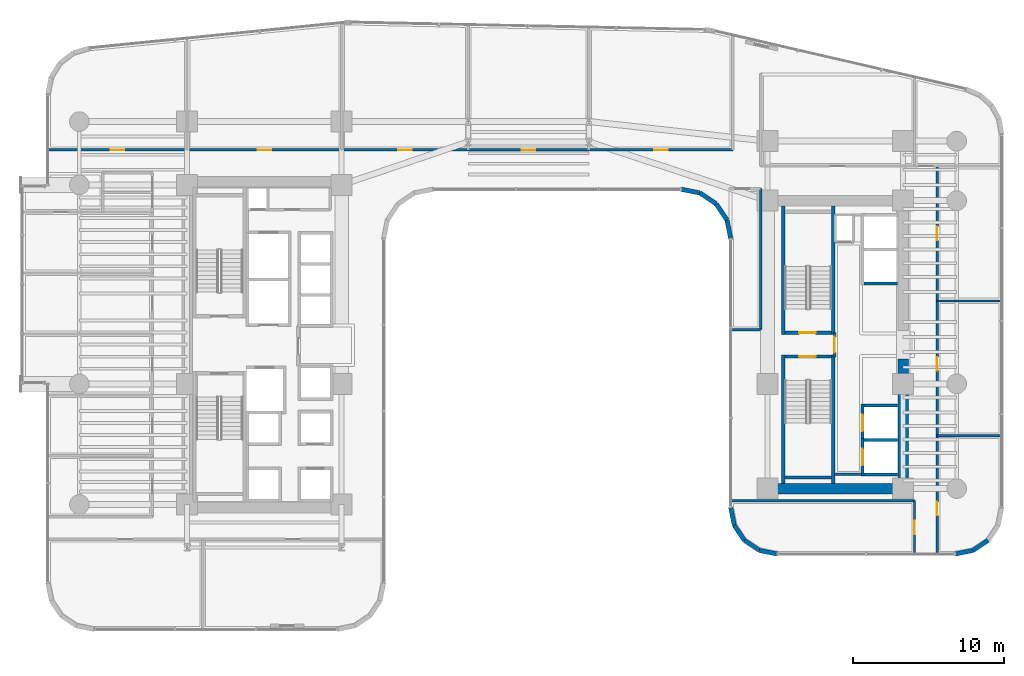
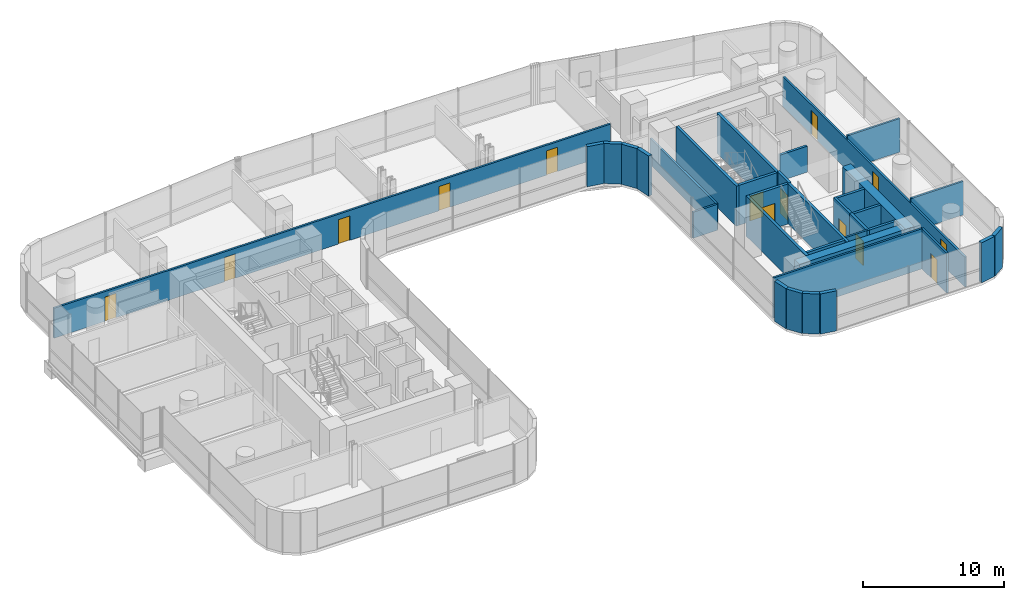
# One storey, part 31 of 38: 35 walls, 14 doors, 14 openings.
"""IFC4 building model written with IfcOpenShell, lengths in metres."""

from ifc_helpers import new_model, si_unit, direction, frame, frame_2d, origin, place, context, subcontext, project, spatial, rectangle, extrude, material, layer, layer_set, type_object, element, fill, save


model = new_model("IFC4")

# Units and contexts
model_context = context("Model", 3, precision=1e-05, world=origin(), true_north=direction((0.0, 1.0)))
body_context = subcontext(model_context, "Body", "Model", "MODEL_VIEW")
ifc_project = project(units=[si_unit("LENGTHUNIT", "METRE"), si_unit("AREAUNIT", "SQUARE_METRE"), si_unit("VOLUMEUNIT", "CUBIC_METRE"), si_unit("PLANEANGLEUNIT", "RADIAN"), si_unit("MASSUNIT", "GRAM", prefix="KILO")], contexts=[model_context])

# Site, building, storey
site_placement = place(None, origin())
site = spatial("IfcSite", under=ifc_project, at=site_placement, CompositionType="ELEMENT")
building_placement = place(site_placement, origin())
building = spatial("IfcBuilding", under=site, at=building_placement, Name="Valdorenza Pilgrim Sanctuary Tower", CompositionType="ELEMENT")
storey_placement = place(building_placement, frame((0.0, 0.0, 37.10009765625)))
storey = spatial("IfcBuildingStorey", under=building, at=storey_placement, Name="L08", CompositionType="ELEMENT", Elevation=37.10009765625)

# Wall
ifc_material_1 = material(Name="Acoustic twin-stud gypsum partition", Category="gypsum")
ifc_layer_1 = layer(ifc_material_1, 0.159912109375, Name="Acoustic twin-stud gypsum partition")
ifc_layer_set_1 = layer_set([ifc_layer_1], Name="Acoustic twin-stud gypsum partition")
wall_type_1 = type_object("IfcWallType", Name="WAL-COR-160", PredefinedType="PARTITIONING", material=ifc_layer_set_1)
wall_1_placement = place(storey_placement, frame((20.300048828125, -8.60009765625, 0.0), z_axis=(0.0, 0.0, 1.0), x_axis=(1.0, 0.0, 0.0)))
element("IfcWall", 1, at=wall_1_placement, inside=storey, type_object=wall_type_1, Name="L08 Core B Lift Hall South End Wall", PredefinedType="PARTITIONING", context=body_context, shape_type="SweptSolid", body=[
    extrude(rectangle(XDim=1.820068359375, YDim=0.159912109375, at=frame_2d((0.91015625, 0.0))), origin(), (0.0, 0.0, 1.0), 3.4599609375),
])

# Wall, openings, doors
wall_2_placement = place(storey_placement, frame((-31.889892578125, 12.919921875, 0.0), z_axis=(0.0, 0.0, 1.0), x_axis=(1.0, 0.0, 0.0)))
wall_2 = element("IfcWall", 2, at=wall_2_placement, inside=storey, type_object=wall_type_1, Name="L08 North Corridor Wall", PredefinedType="PARTITIONING", context=body_context, shape_type="SweptSolid", body=[
    extrude(rectangle(XDim=45.43994140625, YDim=0.159912109375, at=frame_2d((22.719970703125, 0.0))), origin(), (0.0, 0.0, 1.0), 2.5830078125),
])
opening_1_placement = place(wall_2_placement, frame((4.169921875, 0.0, 0.0)))
opening_1 = element("IfcOpeningElement", 3, at=opening_1_placement, cuts=wall_2, Name="Opening DR-RM1", PredefinedType="OPENING", context=body_context, shape_type="SweptSolid", body=[
    extrude(rectangle(XDim=0.89990234375, YDim=2.10009765625, at=frame_2d((0.449951171875, 1.050048828125))), frame((0.0, 0.0947265625, 0.0), z_axis=(0.0, -1.0, 0.0), x_axis=(1.0, 0.0, 0.0)), (0.0, 0.0, 1.0), 0.189697265625),
])
opening_2_placement = place(wall_2_placement, frame((13.9150390625, 0.0, 0.0)))
opening_2 = element("IfcOpeningElement", 4, at=opening_2_placement, cuts=wall_2, Name="Opening DR-RM1", PredefinedType="OPENING", context=body_context, shape_type="SweptSolid", body=[
    extrude(rectangle(XDim=0.89990234375, YDim=2.10009765625, at=frame_2d((0.449951171875, 1.050048828125))), frame((0.0, 0.0947265625, 0.0), z_axis=(0.0, -1.0, 0.0), x_axis=(1.0, 0.0, 0.0)), (0.0, 0.0, 1.0), 0.189697265625),
])
opening_3_placement = place(wall_2_placement, frame((23.239990234375, 0.0, 0.0)))
opening_3 = element("IfcOpeningElement", 5, at=opening_3_placement, cuts=wall_2, Name="Opening DR-RM1", PredefinedType="OPENING", context=body_context, shape_type="SweptSolid", body=[
    extrude(rectangle(XDim=0.89990234375, YDim=2.10009765625, at=frame_2d((0.449951171875, 1.050048828125))), frame((0.0, 0.0947265625, 0.0), z_axis=(0.0, -1.0, 0.0), x_axis=(1.0, 0.0, 0.0)), (0.0, 0.0, 1.0), 0.189697265625),
])
opening_4_placement = place(wall_2_placement, frame((31.43994140625, 0.0, 0.0)))
opening_4 = element("IfcOpeningElement", 6, at=opening_4_placement, cuts=wall_2, Name="Opening DR-RM1", PredefinedType="OPENING", context=body_context, shape_type="SweptSolid", body=[
    extrude(rectangle(XDim=0.89990234375, YDim=2.10009765625, at=frame_2d((0.449951171875, 1.050048828125))), frame((0.0, 0.0947265625, 0.0), z_axis=(0.0, -1.0, 0.0), x_axis=(1.0, 0.0, 0.0)), (0.0, 0.0, 1.0), 0.189697265625),
])
opening_5_placement = place(wall_2_placement, frame((40.215087890625, 0.0, 0.0)))
opening_5 = element("IfcOpeningElement", 7, at=opening_5_placement, cuts=wall_2, Name="Opening DR-RM1", PredefinedType="OPENING", context=body_context, shape_type="SweptSolid", body=[
    extrude(rectangle(XDim=0.89990234375, YDim=2.10009765625, at=frame_2d((0.449951171875, 1.050048828125))), frame((0.0, 0.0947265625, 0.0), z_axis=(0.0, -1.0, 0.0), x_axis=(1.0, 0.0, 0.0)), (0.0, 0.0, 1.0), 0.189697265625),
])
ifc_material_2 = material(Name="Solid-core European oak timber", Category="wood")
door_type_1 = type_object("IfcDoorType", Name="DR-ROOM-900", OperationType="NOTDEFINED", PredefinedType="DOOR", material=ifc_material_2)
door_1_placement = place(opening_1_placement, frame((0.89990234375, 0.0, 0.0), z_axis=(0.0, 0.0, 1.0), x_axis=(-1.0, 0.0, 0.0)))
door_1 = element("IfcDoor", 8, at=door_1_placement, inside=storey, type_object=door_type_1, Name="L08 Sanctuary Administration Office L08-N1 Door", OperationType="SINGLE_SWING_LEFT", OverallHeight=2.10009765625, OverallWidth=0.89990234375, PredefinedType="DOOR", context=body_context, shape_type="SweptSolid", body=[
    extrude(rectangle(XDim=0.89990234375, YDim=2.10009765625, at=frame_2d((0.449951171875, 1.050048828125))), frame((0.0, 0.02490234375, 0.0), z_axis=(0.0, -1.0, 0.0), x_axis=(1.0, 0.0, 0.0)), (0.0, 0.0, 1.0), 0.050048828125),
])
fill(opening_1, door_1)
door_2_placement = place(opening_2_placement, origin())
door_2 = element("IfcDoor", 9, at=door_2_placement, inside=storey, type_object=door_type_1, Name="L08 Sanctuary Administration Office L08-N2 Door", OperationType="SINGLE_SWING_RIGHT", OverallHeight=2.10009765625, OverallWidth=0.89990234375, PredefinedType="DOOR", context=body_context, shape_type="SweptSolid", body=[
    extrude(rectangle(XDim=0.89990234375, YDim=2.10009765625, at=frame_2d((0.449951171875, 1.050048828125))), frame((0.0, 0.02490234375, 0.0), z_axis=(0.0, -1.0, 0.0), x_axis=(1.0, 0.0, 0.0)), (0.0, 0.0, 1.0), 0.050048828125),
])
fill(opening_2, door_2)
door_3_placement = place(opening_3_placement, frame((0.89990234375, 0.0, 0.0), z_axis=(0.0, 0.0, 1.0), x_axis=(-1.0, 0.0, 0.0)))
door_3 = element("IfcDoor", 10, at=door_3_placement, inside=storey, type_object=door_type_1, Name="L08 Sanctuary Administration Office L08-N3 Door", OperationType="SINGLE_SWING_LEFT", OverallHeight=2.10009765625, OverallWidth=0.89990234375, PredefinedType="DOOR", context=body_context, shape_type="SweptSolid", body=[
    extrude(rectangle(XDim=0.89990234375, YDim=2.10009765625, at=frame_2d((0.449951171875, 1.050048828125))), frame((0.0, 0.02490234375, 0.0), z_axis=(0.0, -1.0, 0.0), x_axis=(1.0, 0.0, 0.0)), (0.0, 0.0, 1.0), 0.050048828125),
])
fill(opening_3, door_3)
door_4_placement = place(opening_4_placement, origin())
door_4 = element("IfcDoor", 11, at=door_4_placement, inside=storey, type_object=door_type_1, Name="L08 Sanctuary Administration Office L08-N4 Door", OperationType="SINGLE_SWING_RIGHT", OverallHeight=2.10009765625, OverallWidth=0.89990234375, PredefinedType="DOOR", context=body_context, shape_type="SweptSolid", body=[
    extrude(rectangle(XDim=0.89990234375, YDim=2.10009765625, at=frame_2d((0.449951171875, 1.050048828125))), frame((0.0, 0.02490234375, 0.0), z_axis=(0.0, -1.0, 0.0), x_axis=(1.0, 0.0, 0.0)), (0.0, 0.0, 1.0), 0.050048828125),
])
fill(opening_4, door_4)
door_5_placement = place(opening_5_placement, frame((0.89990234375, 0.0, 0.0), z_axis=(0.0, 0.0, 1.0), x_axis=(-1.0, 0.0, 0.0)))
door_5 = element("IfcDoor", 12, at=door_5_placement, inside=storey, type_object=door_type_1, Name="L08 Sanctuary Administration Office L08-N5 Door", OperationType="SINGLE_SWING_LEFT", OverallHeight=2.10009765625, OverallWidth=0.89990234375, PredefinedType="DOOR", context=body_context, shape_type="SweptSolid", body=[
    extrude(rectangle(XDim=0.89990234375, YDim=2.10009765625, at=frame_2d((0.449951171875, 1.050048828125))), frame((0.0, 0.02490234375, 0.0), z_axis=(0.0, -1.0, 0.0), x_axis=(1.0, 0.0, 0.0)), (0.0, 0.0, 1.0), 0.050048828125),
])
fill(opening_5, door_5)

# Wall, opening, door
wall_3_placement = place(storey_placement, frame((25.60009765625, -13.889892578125, 0.0), z_axis=(0.0, 0.0, 1.0), x_axis=(0.0, 1.0, 0.0)))
wall_3 = element("IfcWall", 13, at=wall_3_placement, inside=storey, type_object=wall_type_1, Name="L08 Wing B South-East Corridor Wall", PredefinedType="PARTITIONING", context=body_context, shape_type="SweptSolid", body=[
    extrude(rectangle(XDim=3.539794921875, YDim=0.159912109375, at=frame_2d((1.77001953125, 0.0))), origin(), (0.0, 0.0, 1.0), 3.4599609375),
])
opening_6_placement = place(wall_3_placement, frame((1.320068359375, 0.0, 0.0)))
opening_6 = element("IfcOpeningElement", 14, at=opening_6_placement, cuts=wall_3, Name="Opening DR-RM1", PredefinedType="OPENING", context=body_context, shape_type="SweptSolid", body=[
    extrude(rectangle(XDim=0.89990234375, YDim=2.10009765625, at=frame_2d((0.449951171875, 1.050048828125))), frame((0.0, 0.0947265625, 0.0), z_axis=(0.0, -1.0, 0.0), x_axis=(1.0, 0.0, 0.0)), (0.0, 0.0, 1.0), 0.189697265625),
])
door_6_placement = place(opening_6_placement, frame((0.89990234375, 0.0, 0.0), z_axis=(0.0, 0.0, 1.0), x_axis=(-1.0, 0.0, 0.0)))
door_6 = element("IfcDoor", 15, at=door_6_placement, inside=storey, type_object=door_type_1, Name="L08 Theological Reference Library L08-BS Door", OperationType="SINGLE_SWING_LEFT", OverallHeight=2.10009765625, OverallWidth=0.89990234375, PredefinedType="DOOR", context=body_context, shape_type="SweptSolid", body=[
    extrude(rectangle(XDim=0.89990234375, YDim=2.10009765625, at=frame_2d((0.449951171875, 1.050048828125))), frame((0.0, 0.02490234375, 0.0), z_axis=(0.0, -1.0, 0.0), x_axis=(1.0, 0.0, 0.0)), (0.0, 0.0, 1.0), 0.050048828125),
])
fill(opening_6, door_6)

# Wall
wall_4_placement = place(storey_placement, frame((13.409912109375, -10.35009765625, 0.0), z_axis=(0.0, 0.0, 1.0), x_axis=(1.0, 0.0, 0.0)))
element("IfcWall", 16, at=wall_4_placement, inside=storey, type_object=wall_type_1, Name="L08 Wing B South North Wall", PredefinedType="PARTITIONING", context=body_context, shape_type="SweptSolid", body=[
    extrude(rectangle(XDim=12.190185546875, YDim=0.159912109375, at=frame_2d((6.09521484375, 0.0))), origin(), (0.0, 0.0, 1.0), 3.4599609375),
])

# Wall, openings, doors
wall_5_placement = place(storey_placement, frame((27.10009765625, -13.889892578125, 0.0), z_axis=(0.0, 0.0, 1.0), x_axis=(0.0, 1.0, 0.0)))
wall_5 = element("IfcWall", 17, at=wall_5_placement, inside=storey, type_object=wall_type_1, Name="L08 Wing B East Corridor Wall", PredefinedType="PARTITIONING", context=body_context, shape_type="SweptSolid", body=[
    extrude(rectangle(XDim=25.739990234375, YDim=0.159912109375, at=frame_2d((12.8701171875, 0.0))), origin(), (0.0, 0.0, 1.0), 2.5830078125),
])
opening_7_placement = place(wall_5_placement, frame((2.56005859375, 0.0, 0.0)))
opening_7 = element("IfcOpeningElement", 18, at=opening_7_placement, cuts=wall_5, Name="Opening DR-RM1", PredefinedType="OPENING", context=body_context, shape_type="SweptSolid", body=[
    extrude(rectangle(XDim=0.89990234375, YDim=2.10009765625, at=frame_2d((0.449951171875, 1.050048828125))), frame((0.0, 0.0947265625, 0.0), z_axis=(0.0, -1.0, 0.0), x_axis=(1.0, 0.0, 0.0)), (0.0, 0.0, 1.0), 0.189697265625),
])
opening_8_placement = place(wall_5_placement, frame((12.159912109375, 0.0, 0.0)))
opening_8 = element("IfcOpeningElement", 19, at=opening_8_placement, cuts=wall_5, Name="Opening DR-RM1", PredefinedType="OPENING", context=body_context, shape_type="SweptSolid", body=[
    extrude(rectangle(XDim=0.89990234375, YDim=2.10009765625, at=frame_2d((0.449951171875, 1.050048828125))), frame((0.0, 0.0947265625, 0.0), z_axis=(0.0, -1.0, 0.0), x_axis=(1.0, 0.0, 0.0)), (0.0, 0.0, 1.0), 0.189697265625),
])
opening_9_placement = place(wall_5_placement, frame((20.81494140625, 0.0, 0.0)))
opening_9 = element("IfcOpeningElement", 20, at=opening_9_placement, cuts=wall_5, Name="Opening DR-RM1", PredefinedType="OPENING", context=body_context, shape_type="SweptSolid", body=[
    extrude(rectangle(XDim=0.89990234375, YDim=2.10009765625, at=frame_2d((0.449951171875, 1.050048828125))), frame((0.0, 0.0947265625, 0.0), z_axis=(0.0, -1.0, 0.0), x_axis=(1.0, 0.0, 0.0)), (0.0, 0.0, 1.0), 0.189697265625),
])
door_7_placement = place(opening_7_placement, frame((0.89990234375, 0.0, 0.0), z_axis=(0.0, 0.0, 1.0), x_axis=(-1.0, 0.0, 0.0)))
door_7 = element("IfcDoor", 21, at=door_7_placement, inside=storey, type_object=door_type_1, Name="L08 Open Plan Scholar Office L08-EB1 Door", OperationType="SINGLE_SWING_LEFT", OverallHeight=2.10009765625, OverallWidth=0.89990234375, PredefinedType="DOOR", context=body_context, shape_type="SweptSolid", body=[
    extrude(rectangle(XDim=0.89990234375, YDim=2.10009765625, at=frame_2d((0.449951171875, 1.050048828125))), frame((0.0, 0.02490234375, 0.0), z_axis=(0.0, -1.0, 0.0), x_axis=(1.0, 0.0, 0.0)), (0.0, 0.0, 1.0), 0.050048828125),
])
fill(opening_7, door_7)
door_8_placement = place(opening_8_placement, origin())
door_8 = element("IfcDoor", 22, at=door_8_placement, inside=storey, type_object=door_type_1, Name="L08 Open Plan Scholar Office L08-EB2 Door", OperationType="SINGLE_SWING_RIGHT", OverallHeight=2.10009765625, OverallWidth=0.89990234375, PredefinedType="DOOR", context=body_context, shape_type="SweptSolid", body=[
    extrude(rectangle(XDim=0.89990234375, YDim=2.10009765625, at=frame_2d((0.449951171875, 1.050048828125))), frame((0.0, 0.02490234375, 0.0), z_axis=(0.0, -1.0, 0.0), x_axis=(1.0, 0.0, 0.0)), (0.0, 0.0, 1.0), 0.050048828125),
])
fill(opening_8, door_8)
door_9_placement = place(opening_9_placement, frame((0.89990234375, 0.0, 0.0), z_axis=(0.0, 0.0, 1.0), x_axis=(-1.0, 0.0, 0.0)))
door_9 = element("IfcDoor", 23, at=door_9_placement, inside=storey, type_object=door_type_1, Name="L08 Open Plan Scholar Office L08-EB3 Door", OperationType="SINGLE_SWING_LEFT", OverallHeight=2.10009765625, OverallWidth=0.89990234375, PredefinedType="DOOR", context=body_context, shape_type="SweptSolid", body=[
    extrude(rectangle(XDim=0.89990234375, YDim=2.10009765625, at=frame_2d((0.449951171875, 1.050048828125))), frame((0.0, 0.02490234375, 0.0), z_axis=(0.0, -1.0, 0.0), x_axis=(1.0, 0.0, 0.0)), (0.0, 0.0, 1.0), 0.050048828125),
])
fill(opening_9, door_9)

# Walls
wall_6_placement = place(storey_placement, frame((15.39990234375, 1.0, 0.0), z_axis=(0.0, 0.0, 1.0), x_axis=(0.0, 1.0, 0.0)))
element("IfcWall", 24, at=wall_6_placement, inside=storey, type_object=wall_type_1, Name="L08 Courtyard Overlook East Wall", PredefinedType="PARTITIONING", context=body_context, shape_type="SweptSolid", body=[
    extrude(rectangle(XDim=9.35009765625, YDim=0.159912109375, at=frame_2d((4.675048828125, 0.0))), origin(), (0.0, 0.0, 1.0), 2.244873046875),
])
wall_7_placement = place(storey_placement, frame((13.409912109375, 1.0, 0.0), z_axis=(0.0, 0.0, 1.0), x_axis=(1.0, 0.0, 0.0)))
element("IfcWall", 25, at=wall_7_placement, inside=storey, type_object=wall_type_1, Name="L08 Courtyard Overlook South Wall", PredefinedType="PARTITIONING", context=body_context, shape_type="SweptSolid", body=[
    extrude(rectangle(XDim=1.989990234375, YDim=0.159912109375, at=frame_2d((0.9951171875, 0.0))), origin(), (0.0, 0.0, 1.0), 2.244873046875),
])
ifc_material_3 = material(Name="Concrete C60/75", Category="concrete")
ifc_layer_2 = layer(ifc_material_3, 0.699951171875, Name="Concrete C60/75")
ifc_layer_set_2 = layer_set([ifc_layer_2], Name="Concrete C60/75")
wall_type_2 = type_object("IfcWallType", Name="WAL-COR-700", PredefinedType="SHEAR", material=ifc_layer_set_2)
wall_8_placement = place(storey_placement, frame((24.85009765625, -9.89990234375, 0.0), z_axis=(0.0, 0.0, 1.0), x_axis=(0.0, 1.0, 0.0)))
element("IfcWall", 26, at=wall_8_placement, inside=storey, type_object=wall_type_2, Name="L08 Split Core B Shear Wall ES", PredefinedType="SHEAR", context=body_context, shape_type="SweptSolid", body=[
    extrude(rectangle(XDim=8.949951171875, YDim=0.699951171875, at=frame_2d((4.47509765625, 0.0))), origin(), (0.0, 0.0, 1.0), 3.4599609375),
])
wall_9_placement = place(storey_placement, frame((15.85009765625, -9.550048828125, 0.0), z_axis=(0.0, 0.0, 1.0), x_axis=(1.0, 0.0, 0.0)))
element("IfcWall", 27, at=wall_9_placement, inside=storey, type_object=wall_type_2, Name="L08 Split Core B Shear Wall S", PredefinedType="SHEAR", context=body_context, shape_type="SweptSolid", body=[
    extrude(rectangle(XDim=9.0, YDim=0.699951171875, at=frame_2d((4.5, 0.0))), origin(), (0.0, 0.0, 1.0), 3.4599609375),
])
ifc_material_4 = material(Name="Honed travertine limestone", Category="masonry")
ifc_layer_3 = layer(ifc_material_4, 0.300048828125, Name="Honed travertine limestone")
ifc_layer_set_3 = layer_set([ifc_layer_3], Name="Honed travertine limestone")
wall_type_3 = type_object("IfcWallType", Name="WAL-EXT-300", PredefinedType="SOLIDWALL", material=ifc_layer_set_3)
wall_10_placement = place(storey_placement, frame((30.4833984375, -12.9833984375, 0.0), z_axis=(0.0, 0.0, 1.0), x_axis=(-0.831426265255, -0.555635100982, 0.0)))
element("IfcWall", 28, at=wall_10_placement, inside=storey, type_object=wall_type_3, Name="L08 Rounded Wind-Corner Stone Pier 24", PredefinedType="SOLIDWALL", context=body_context, shape_type="SweptSolid", body=[
    extrude(rectangle(XDim=1.204833984375, YDim=0.300048828125, at=frame_2d((0.6025390625, 0.0))), origin(), (0.0, 0.0, 1.0), 3.4599609375),
])
for number, where, z_axis, x_axis, name in (
    (29, (29.481689453125, -13.65283203125, 0.0), (0.0, 0.0, 1.0), (-0.980804027463, -0.194996050505, 0.0), "L08 Rounded Wind-Corner Stone Pier 25"),
    (30, (16.5107421875, -13.889892578125, 0.0), (0.0, 0.0, 1.0), (-0.980804027463, 0.194996050505, 0.0), "L08 Rounded Wind-Corner Stone Pier 27"),
):
    element("IfcWall", number, at=place(storey_placement, frame(where, z_axis=z_axis, x_axis=x_axis)), inside=storey, type_object=wall_type_3, Name=name, PredefinedType="SOLIDWALL", context=body_context, shape_type="SweptSolid", body=[
        extrude(rectangle(XDim=1.2158203125, YDim=0.300048828125, at=frame_2d((0.60791015625, 0.0))), origin(), (0.0, 0.0, 1.0), 3.4599609375),
    ])
for number, where, z_axis, x_axis, name in (
    (31, (15.318359375, -13.65283203125, 0.0), (0.0, 0.0, 1.0), (-0.831426265255, 0.555635100982, 0.0), "L08 Rounded Wind-Corner Stone Pier 28"),
    (32, (14.316650390625, -12.9833984375, 0.0), (0.0, 0.0, 1.0), (-0.555635100982, 0.831426265255, 0.0), "L08 Rounded Wind-Corner Stone Pier 29"),
):
    element("IfcWall", number, at=place(storey_placement, frame(where, z_axis=z_axis, x_axis=x_axis)), inside=storey, type_object=wall_type_3, Name=name, PredefinedType="SOLIDWALL", context=body_context, shape_type="SweptSolid", body=[
        extrude(rectangle(XDim=1.204833984375, YDim=0.300048828125, at=frame_2d((0.6025390625, 0.0))), origin(), (0.0, 0.0, 1.0), 3.4599609375),
    ])
wall_11_placement = place(storey_placement, frame((13.647216796875, -11.981689453125, 0.0), z_axis=(0.0, 0.0, 1.0), x_axis=(-0.195189223115, 0.980765602568, 0.0)))
element("IfcWall", 33, at=wall_11_placement, inside=storey, type_object=wall_type_3, Name="L08 Rounded Wind-Corner Stone Pier 30", PredefinedType="SOLIDWALL", context=body_context, shape_type="SweptSolid", body=[
    extrude(rectangle(XDim=1.2158203125, YDim=0.300048828125, at=frame_2d((0.60791015625, 0.0))), origin(), (0.0, 0.0, 1.0), 3.4599609375),
])
wall_12_placement = place(storey_placement, frame((13.409912109375, 7.0107421875, 0.0), z_axis=(0.0, 0.0, 1.0), x_axis=(-0.195090163074, 0.980785312019, 0.0)))
element("IfcWall", 34, at=wall_12_placement, inside=storey, type_object=wall_type_3, Name="L08 Rounded Wind-Corner Stone Pier 32", PredefinedType="SOLIDWALL", context=body_context, shape_type="SweptSolid", body=[
    extrude(rectangle(XDim=1.281494140625, YDim=0.300048828125, at=frame_2d((0.640625, 0.0))), origin(), (0.0, 0.0, 1.0), 3.4599609375),
])
for number, where, z_axis, x_axis, name in (
    (35, (13.159912109375, 8.267578125, 0.0), (0.0, 0.0, 1.0), (-0.555615398575, 0.831439431869, 0.0), "L08 Rounded Wind-Corner Stone Pier 33"),
    (36, (12.44189453125, 9.342041015625, 0.0), (0.0, 0.0, 1.0), (-0.831439431869, 0.555615398575, 0.0), "L08 Rounded Wind-Corner Stone Pier 34"),
):
    element("IfcWall", number, at=place(storey_placement, frame(where, z_axis=z_axis, x_axis=x_axis)), inside=storey, type_object=wall_type_3, Name=name, PredefinedType="SOLIDWALL", context=body_context, shape_type="SweptSolid", body=[
        extrude(rectangle(XDim=1.292236328125, YDim=0.300048828125, at=frame_2d((0.64599609375, 0.0))), origin(), (0.0, 0.0, 1.0), 3.4599609375),
    ])
wall_13_placement = place(storey_placement, frame((11.367431640625, 10.06005859375, 0.0), z_axis=(0.0, 0.0, 1.0), x_axis=(-0.980778058848, 0.195126623715, 0.0)))
element("IfcWall", 37, at=wall_13_placement, inside=storey, type_object=wall_type_3, Name="L08 Rounded Wind-Corner Stone Pier 35", PredefinedType="SOLIDWALL", context=body_context, shape_type="SweptSolid", body=[
    extrude(rectangle(XDim=1.28125, YDim=0.300048828125, at=frame_2d((0.640625, 0.0))), origin(), (0.0, 0.0, 1.0), 3.4599609375),
])

# Wall, opening, door
ifc_material_5 = material(Name="Gypsum shaftwall partition", Category="gypsum")
ifc_layer_4 = layer(ifc_material_5, 0.199951171875, Name="Gypsum shaftwall partition")
ifc_layer_set_4 = layer_set([ifc_layer_4], Name="Gypsum shaftwall partition")
wall_type_4 = type_object("IfcWallType", Name="WAL-FFL-200", PredefinedType="PARTITIONING", material=ifc_layer_set_4)
wall_14_placement = place(storey_placement, frame((20.300048828125, -0.820068359375, 0.0), z_axis=(0.0, 0.0, 1.0), x_axis=(0.0, 1.0, 0.0)))
wall_14 = element("IfcWall", 38, at=wall_14_placement, inside=storey, type_object=wall_type_4, Name="L08 Core B Firefighting Lobby East Wall", PredefinedType="PARTITIONING", context=body_context, shape_type="SweptSolid", body=[
    extrude(rectangle(XDim=1.64013671875, YDim=0.199951171875, at=frame_2d((0.820068359375, 0.0))), origin(), (0.0, 0.0, 1.0), 3.4599609375),
])
opening_10_placement = place(wall_14_placement, frame((0.294921875, 0.0, 0.0)))
opening_10 = element("IfcOpeningElement", 39, at=opening_10_placement, cuts=wall_14, Name="Opening DR-FL1", PredefinedType="OPENING", context=body_context, shape_type="SweptSolid", body=[
    extrude(rectangle(XDim=1.050048828125, YDim=2.14990234375, at=frame_2d((0.52490234375, 1.074951171875))), frame((0.0, 0.11474609375, 0.0), z_axis=(0.0, -1.0, 0.0), x_axis=(1.0, 0.0, 0.0)), (0.0, 0.0, 1.0), 0.229736328125),
])
ifc_material_6 = material(Name="Painted galvanized steel", Category="steel")
door_type_2 = type_object("IfcDoorType", Name="DR-FFL-1050", OperationType="NOTDEFINED", PredefinedType="DOOR", material=ifc_material_6)
door_10_placement = place(opening_10_placement, frame((1.050048828125, 0.0, 0.0), z_axis=(0.0, 0.0, 1.0), x_axis=(-1.0, 0.0, 0.0)))
door_10 = element("IfcDoor", 40, at=door_10_placement, inside=storey, type_object=door_type_2, Name="L08 Core B Firefighting Lobby Door", OperationType="SINGLE_SWING_LEFT", OverallHeight=2.14990234375, OverallWidth=1.050048828125, PredefinedType="DOOR", context=body_context, shape_type="SweptSolid", body=[
    extrude(rectangle(XDim=1.050048828125, YDim=2.14990234375, at=frame_2d((0.52490234375, 1.074951171875))), frame((0.0, 0.02490234375, 0.0), z_axis=(0.0, -1.0, 0.0), x_axis=(1.0, 0.0, 0.0)), (0.0, 0.0, 1.0), 0.050048828125),
])
fill(opening_10, door_10)

ifc_material_7 = material(Name="Autoclaved aerated concrete blockwork", Category="masonry")
ifc_layer_5 = layer(ifc_material_7, 0.199951171875, Name="Autoclaved aerated concrete blockwork")
ifc_layer_set_5 = layer_set([ifc_layer_5], Name="Autoclaved aerated concrete blockwork")
wall_type_5 = type_object("IfcWallType", Name="WAL-SHF-200", PredefinedType="MOVABLE", material=ifc_layer_set_5)
wall_15_placement = place(storey_placement, frame((22.14990234375, -8.699951171875, 0.0), z_axis=(0.0, 0.0, 1.0), x_axis=(0.0, 1.0, 0.0)))
wall_15 = element("IfcWall", 41, at=wall_15_placement, inside=storey, type_object=wall_type_5, Name="L08 Lift PL-03 Hoistway Wall West", PredefinedType="MOVABLE", context=body_context, shape_type="SweptSolid", body=[
    extrude(rectangle(XDim=2.474853515625, YDim=0.199951171875, at=frame_2d((1.2373046875, 0.0))), origin(), (0.0, 0.0, 1.0), 3.4599609375),
])
opening_11_placement = place(wall_15_placement, frame((0.6875, 0.0, 0.0)))
opening_11 = element("IfcOpeningElement", 42, at=opening_11_placement, cuts=wall_15, Name="Opening LD-01", PredefinedType="OPENING", context=body_context, shape_type="SweptSolid", body=[
    extrude(rectangle(XDim=1.10009765625, YDim=2.10009765625, at=frame_2d((0.550048828125, 1.050048828125))), frame((0.0, 0.11474609375, 0.0), z_axis=(0.0, -1.0, 0.0), x_axis=(1.0, 0.0, 0.0)), (0.0, 0.0, 1.0), 0.229736328125),
])
ifc_material_8 = material(Name="Brushed stainless steel Grade 316", Category="steel")
door_type_3 = type_object("IfcDoorType", Name="DR-LFT-1100", OperationType="DOUBLE_DOOR_SLIDING", PredefinedType="DOOR", material=ifc_material_8)
door_11_placement = place(opening_11_placement, origin())
door_11 = element("IfcDoor", 43, at=door_11_placement, inside=storey, type_object=door_type_3, Name="L08 Lift PL-03 Sliding Landing Door", OperationType="DOUBLE_DOOR_SLIDING", OverallHeight=2.10009765625, OverallWidth=1.10009765625, PredefinedType="DOOR", context=body_context, shape_type="SweptSolid", body=[
    extrude(rectangle(XDim=1.10009765625, YDim=2.10009765625, at=frame_2d((0.550048828125, 1.050048828125))), frame((0.0, 0.02490234375, 0.0), z_axis=(0.0, -1.0, 0.0), x_axis=(1.0, 0.0, 0.0)), (0.0, 0.0, 1.0), 0.050048828125),
])
fill(opening_11, door_11)

# Walls
for number, where, z_axis, x_axis, name in (
    (44, (22.25, -8.60009765625, 0.0), (0.0, 0.0, 1.0), (1.0, 0.0, 0.0), "L08 Lift PL-03 Hoistway Wall South"),
    (45, (22.25, -6.324951171875, 0.0), (0.0, 0.0, 1.0), (1.0, 0.0, 0.0), "L08 Lift PL-03 Hoistway Wall North"),
):
    element("IfcWall", number, at=place(storey_placement, frame(where, z_axis=z_axis, x_axis=x_axis)), inside=storey, type_object=wall_type_5, Name=name, PredefinedType="MOVABLE", context=body_context, shape_type="SweptSolid", body=[
        extrude(rectangle(XDim=2.22998046875, YDim=0.199951171875, at=frame_2d((1.114990234375, 0.0))), origin(), (0.0, 0.0, 1.0), 3.4599609375),
    ])

# Wall, opening, door
wall_16_placement = place(storey_placement, frame((22.14990234375, -6.425048828125, 0.0), z_axis=(0.0, 0.0, 1.0), x_axis=(0.0, 1.0, 0.0)))
wall_16 = element("IfcWall", 46, at=wall_16_placement, inside=storey, type_object=wall_type_5, Name="L08 Lift PL-04 Hoistway Wall West", PredefinedType="MOVABLE", context=body_context, shape_type="SweptSolid", body=[
    extrude(rectangle(XDim=2.47509765625, YDim=0.199951171875, at=frame_2d((1.237548828125, 0.0))), origin(), (0.0, 0.0, 1.0), 3.4599609375),
])
opening_12_placement = place(wall_16_placement, frame((0.6875, 0.0, 0.0)))
opening_12 = element("IfcOpeningElement", 47, at=opening_12_placement, cuts=wall_16, Name="Opening LD-01", PredefinedType="OPENING", context=body_context, shape_type="SweptSolid", body=[
    extrude(rectangle(XDim=1.10009765625, YDim=2.10009765625, at=frame_2d((0.550048828125, 1.050048828125))), frame((0.0, 0.11474609375, 0.0), z_axis=(0.0, -1.0, 0.0), x_axis=(1.0, 0.0, 0.0)), (0.0, 0.0, 1.0), 0.229736328125),
])
door_12_placement = place(opening_12_placement, origin())
door_12 = element("IfcDoor", 48, at=door_12_placement, inside=storey, type_object=door_type_3, Name="L08 Lift PL-04 Sliding Landing Door", OperationType="DOUBLE_DOOR_SLIDING", OverallHeight=2.10009765625, OverallWidth=1.10009765625, PredefinedType="DOOR", context=body_context, shape_type="SweptSolid", body=[
    extrude(rectangle(XDim=1.10009765625, YDim=2.10009765625, at=frame_2d((0.550048828125, 1.050048828125))), frame((0.0, 0.02490234375, 0.0), z_axis=(0.0, -1.0, 0.0), x_axis=(1.0, 0.0, 0.0)), (0.0, 0.0, 1.0), 0.050048828125),
])
fill(opening_12, door_12)

# Walls
wall_17_placement = place(storey_placement, frame((22.25, -4.050048828125, 0.0), z_axis=(0.0, 0.0, 1.0), x_axis=(1.0, 0.0, 0.0)))
element("IfcWall", 49, at=wall_17_placement, inside=storey, type_object=wall_type_5, Name="L08 Lift PL-04 Hoistway Wall North", PredefinedType="MOVABLE", context=body_context, shape_type="SweptSolid", body=[
    extrude(rectangle(XDim=2.22998046875, YDim=0.199951171875, at=frame_2d((1.114990234375, 0.0))), origin(), (0.0, 0.0, 1.0), 3.4599609375),
])
wall_18_placement = place(storey_placement, frame((22.25, 4.050048828125, 0.0), z_axis=(0.0, 0.0, 1.0), x_axis=(1.0, 0.0, 0.0)))
element("IfcWall", 50, at=wall_18_placement, inside=storey, type_object=wall_type_5, Name="L08 Lift PL-07 Hoistway Wall South", PredefinedType="MOVABLE", context=body_context, shape_type="SweptSolid", body=[
    extrude(rectangle(XDim=2.22998046875, YDim=0.199951171875, at=frame_2d((1.114990234375, 0.0))), origin(), (0.0, 0.0, 1.0), 2.244873046875),
])
ifc_material_9 = material(Name="Concrete C40/50", Category="concrete")
ifc_layer_6 = layer(ifc_material_9, 0.219970703125, Name="Concrete C40/50")
ifc_layer_set_6 = layer_set([ifc_layer_6], Name="Concrete C40/50")
wall_type_6 = type_object("IfcWallType", Name="WAL-STR-SHF-220", PredefinedType="SHEAR", material=ifc_layer_set_6)
for number, where, z_axis, x_axis, name in (
    (51, (16.889892578125, 0.679931640625, 0.0), (0.0, 0.0, 1.0), (0.0, 1.0, 0.0), "L08 ST-B1 Structural Stairwell Wall W"),
    (52, (20.219970703125, 0.679931640625, 0.0), (0.0, 0.0, 1.0), (0.0, 1.0, 0.0), "L08 ST-B1 Structural Stairwell Wall E"),
):
    element("IfcWall", number, at=place(storey_placement, frame(where, z_axis=z_axis, x_axis=x_axis)), inside=storey, type_object=wall_type_6, Name=name, PredefinedType="SHEAR", context=body_context, shape_type="SweptSolid", body=[
        extrude(rectangle(XDim=8.52001953125, YDim=0.219970703125, at=frame_2d((4.260009765625, 0.0))), origin(), (0.0, 0.0, 1.0), 3.4599609375),
    ])

# Wall, opening, door
wall_19_placement = place(storey_placement, frame((17.0, 0.7900390625, 0.0), z_axis=(0.0, 0.0, 1.0), x_axis=(1.0, 0.0, 0.0)))
wall_19 = element("IfcWall", 53, at=wall_19_placement, inside=storey, type_object=wall_type_6, Name="L08 ST-B1 Structural Stairwell Wall S", PredefinedType="SHEAR", context=body_context, shape_type="SweptSolid", body=[
    extrude(rectangle(XDim=3.110107421875, YDim=0.219970703125, at=frame_2d((1.55517578125, 0.0))), origin(), (0.0, 0.0, 1.0), 3.4599609375),
])
opening_13_placement = place(wall_19_placement, frame((0.949951171875, 0.0, 0.0)))
opening_13 = element("IfcOpeningElement", 54, at=opening_13_placement, cuts=wall_19, Name="Opening DR-ST1", PredefinedType="OPENING", context=body_context, shape_type="SweptSolid", body=[
    extrude(rectangle(XDim=1.10009765625, YDim=2.14990234375, at=frame_2d((0.550048828125, 1.074951171875))), frame((0.0, 0.125, 0.0), z_axis=(0.0, -1.0, 0.0), x_axis=(1.0, 0.0, 0.0)), (0.0, 0.0, 1.0), 0.249755859375),
])
door_type_4 = type_object("IfcDoorType", Name="DR-STAIR-1100", OperationType="NOTDEFINED", PredefinedType="DOOR", material=ifc_material_6)
door_13_placement = place(opening_13_placement, origin())
door_13 = element("IfcDoor", 55, at=door_13_placement, inside=storey, type_object=door_type_4, Name="L08 Exit Stair ST-B1 Door", OperationType="SINGLE_SWING_RIGHT", OverallHeight=2.14990234375, OverallWidth=1.10009765625, PredefinedType="DOOR", context=body_context, shape_type="SweptSolid", body=[
    extrude(rectangle(XDim=1.10009765625, YDim=2.14990234375, at=frame_2d((0.550048828125, 1.074951171875))), frame((0.0, 0.02490234375, 0.0), z_axis=(0.0, -1.0, 0.0), x_axis=(1.0, 0.0, 0.0)), (0.0, 0.0, 1.0), 0.050048828125),
])
fill(opening_13, door_13)

# Walls
for number, where, z_axis, x_axis, name in (
    (56, (16.889892578125, -9.199951171875, 0.0), (0.0, 0.0, 1.0), (0.0, 1.0, 0.0), "L08 ST-B2 Structural Stairwell Wall W"),
    (57, (20.219970703125, -9.199951171875, 0.0), (0.0, 0.0, 1.0), (0.0, 1.0, 0.0), "L08 ST-B2 Structural Stairwell Wall E"),
):
    element("IfcWall", number, at=place(storey_placement, frame(where, z_axis=z_axis, x_axis=x_axis)), inside=storey, type_object=wall_type_6, Name=name, PredefinedType="SHEAR", context=body_context, shape_type="SweptSolid", body=[
        extrude(rectangle(XDim=8.52001953125, YDim=0.219970703125, at=frame_2d((4.260009765625, 0.0))), origin(), (0.0, 0.0, 1.0), 3.4599609375),
    ])
wall_20_placement = place(storey_placement, frame((17.0, -8.81005859375, 0.0), z_axis=(0.0, 0.0, 1.0), x_axis=(1.0, 0.0, 0.0)))
element("IfcWall", 58, at=wall_20_placement, inside=storey, type_object=wall_type_6, Name="L08 ST-B2 Structural Stairwell Wall S", PredefinedType="SHEAR", context=body_context, shape_type="SweptSolid", body=[
    extrude(rectangle(XDim=3.110107421875, YDim=0.219970703125, at=frame_2d((1.55517578125, 0.0))), origin(), (0.0, 0.0, 1.0), 3.4599609375),
])

# Wall, opening, door
wall_21_placement = place(storey_placement, frame((17.0, -0.7900390625, 0.0), z_axis=(0.0, 0.0, 1.0), x_axis=(1.0, 0.0, 0.0)))
wall_21 = element("IfcWall", 59, at=wall_21_placement, inside=storey, type_object=wall_type_6, Name="L08 ST-B2 Structural Stairwell Wall N", PredefinedType="SHEAR", context=body_context, shape_type="SweptSolid", body=[
    extrude(rectangle(XDim=3.110107421875, YDim=0.219970703125, at=frame_2d((1.55517578125, 0.0))), origin(), (0.0, 0.0, 1.0), 3.4599609375),
])
opening_14_placement = place(wall_21_placement, frame((0.949951171875, 0.0, 0.0)))
opening_14 = element("IfcOpeningElement", 60, at=opening_14_placement, cuts=wall_21, Name="Opening DR-ST1", PredefinedType="OPENING", context=body_context, shape_type="SweptSolid", body=[
    extrude(rectangle(XDim=1.10009765625, YDim=2.14990234375, at=frame_2d((0.550048828125, 1.074951171875))), frame((0.0, 0.125, 0.0), z_axis=(0.0, -1.0, 0.0), x_axis=(1.0, 0.0, 0.0)), (0.0, 0.0, 1.0), 0.249755859375),
])
door_14_placement = place(opening_14_placement, frame((1.10009765625, 0.0, 0.0), z_axis=(0.0, 0.0, 1.0), x_axis=(-1.0, 0.0, 0.0)))
door_14 = element("IfcDoor", 61, at=door_14_placement, inside=storey, type_object=door_type_4, Name="L08 Exit Stair ST-B2 Door", OperationType="SINGLE_SWING_LEFT", OverallHeight=2.14990234375, OverallWidth=1.10009765625, PredefinedType="DOOR", context=body_context, shape_type="SweptSolid", body=[
    extrude(rectangle(XDim=1.10009765625, YDim=2.14990234375, at=frame_2d((0.550048828125, 1.074951171875))), frame((0.0, 0.02490234375, 0.0), z_axis=(0.0, -1.0, 0.0), x_axis=(1.0, 0.0, 0.0)), (0.0, 0.0, 1.0), 0.050048828125),
])
fill(opening_14, door_14)

# Walls
ifc_layer_7 = layer(ifc_material_1, 0.14990234375, Name="Acoustic twin-stud gypsum partition")
ifc_layer_set_7 = layer_set([ifc_layer_7], Name="Acoustic twin-stud gypsum partition")
wall_type_7 = type_object("IfcWallType", Name="WAL-UNT-150", PredefinedType="PARTITIONING", material=ifc_layer_set_7)
for number, where, z_axis, x_axis, name in (
    (62, (27.10009765625, -6.050048828125, 0.0), (0.0, 0.0, 1.0), (1.0, 0.0, 0.0), "L08 Open Plan Scholar Office L08-EB2 Demising Wall"),
    (63, (27.10009765625, 2.89990234375, 0.0), (0.0, 0.0, 1.0), (1.0, 0.0, 0.0), "L08 Open Plan Scholar Office L08-EB3 Demising Wall"),
):
    element("IfcWall", number, at=place(storey_placement, frame(where, z_axis=z_axis, x_axis=x_axis)), inside=storey, type_object=wall_type_7, Name=name, PredefinedType="PARTITIONING", context=body_context, shape_type="SweptSolid", body=[
        extrude(rectangle(XDim=4.289794921875, YDim=0.14990234375, at=frame_2d((2.14501953125, 0.0))), origin(), (0.0, 0.0, 1.0), 2.89599609375),
    ])

save(model, "model.ifc")
